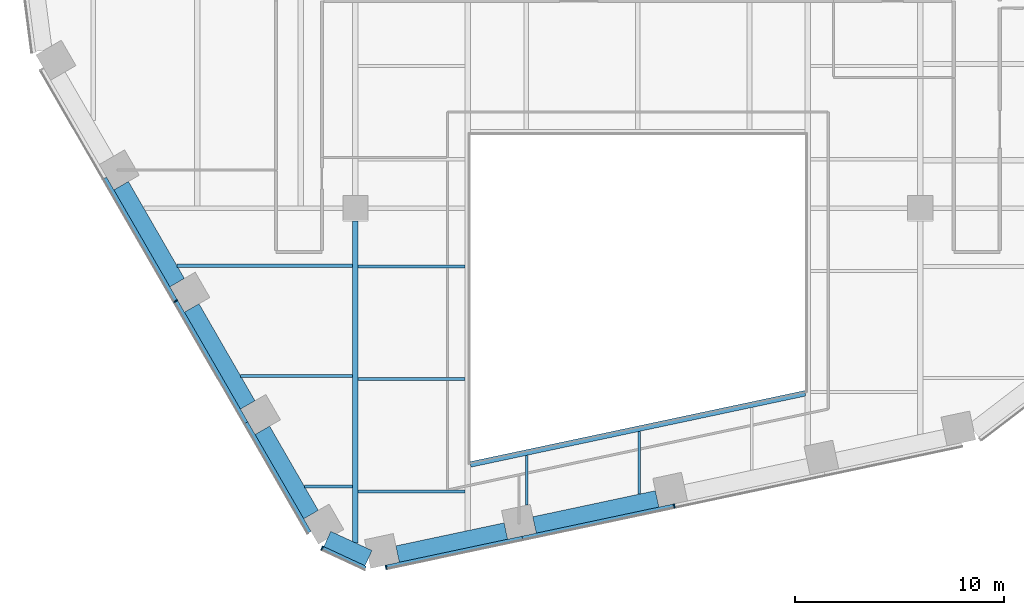
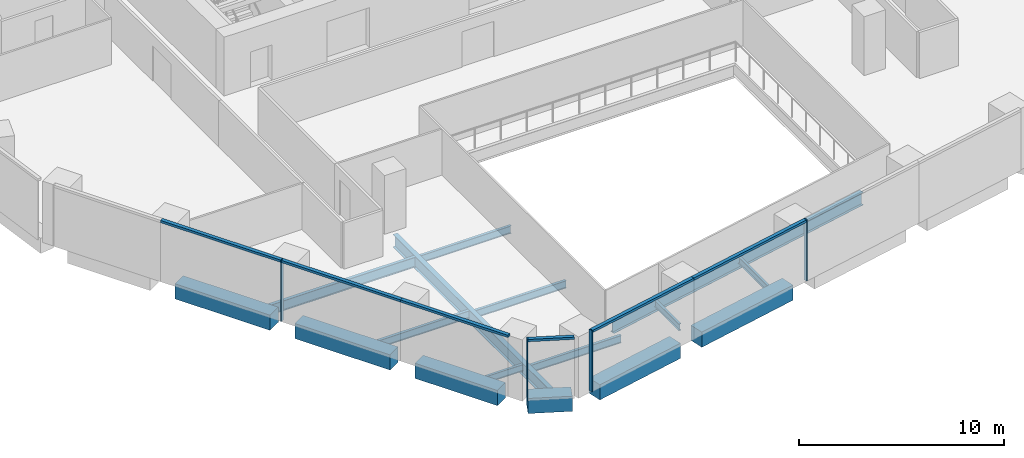
# One storey, part 2 of 16: 16 beams, 10 members, 3 elements without a shape of their own.
"""IFC4 building model written with IfcOpenShell, lengths in metres."""

from ifc_helpers import new_model, si_unit, direction, frame, origin, origin_2d, place, context, subcontext, project, spatial, rectangle, i_section, extrude, material, layer, layer_set, material_profile, profile_set, type_object, element, aggregate, save


model = new_model("IFC4")

# Units and contexts
model_context = context("Model", 3, precision=1e-05, world=origin(), true_north=direction((0.0, 1.0)))
body_context = subcontext(model_context, "Body", "Model", "MODEL_VIEW")
ifc_project = project(units=[si_unit("LENGTHUNIT", "METRE"), si_unit("AREAUNIT", "SQUARE_METRE"), si_unit("VOLUMEUNIT", "CUBIC_METRE"), si_unit("PLANEANGLEUNIT", "RADIAN"), si_unit("MASSUNIT", "GRAM", prefix="KILO")], contexts=[model_context])

# Site, building, storey
site_placement = place(None, origin())
site = spatial("IfcSite", under=ifc_project, at=site_placement, CompositionType="ELEMENT")
building_placement = place(site_placement, origin())
building = spatial("IfcBuilding", under=site, at=building_placement, Name="Isthmus Gate Tower", CompositionType="ELEMENT")
storey_placement = place(building_placement, frame((0.0, 0.0, 148.050048828125)))
storey = spatial("IfcBuildingStorey", under=building, at=storey_placement, Name="L36", CompositionType="ELEMENT", Elevation=148.050048828125)

# Curtain wall, member
ifc_material_1 = material(Name="Aluminium, pale champagne anodised", Category="aluminium")
ifc_layer = layer(ifc_material_1, 0.199951171875)
ifc_layer_set = layer_set([ifc_layer], Name="CW-1 UNITISED CURTAIN WALL 200 DEEP")
curtain_wall_type = type_object("IfcCurtainWallType", Name="CW-1 UNITISED CURTAIN WALL 200 DEEP", PredefinedType="NOTDEFINED", material=ifc_layer_set)
curtain_wall_1_placement = place(storey_placement, origin())
curtain_wall_1 = element("IfcCurtainWall", 1, at=curtain_wall_1_placement, inside=storey, type_object=curtain_wall_type, Name="CW-1 SW L36", PredefinedType="NOTDEFINED")
ifc_material_2 = material(Name="Aluminium, pale champagne anodised", Category="aluminium")
ifc_material_profile_1 = material_profile(ifc_material_2, rectangle(XDim=0.06005859375, YDim=0.199951171875, at=origin_2d()), Name="60x200")
ifc_profile_set_1 = profile_set([ifc_material_profile_1], Name="Aluminium, pale champagne anodised")
member_type_1 = type_object("IfcMemberType", Name="CW-1 MULLION 60 X 200", PredefinedType="MULLION", material=ifc_profile_set_1)
member_1_placement = place(storey_placement, frame((-22.08935546875, -17.93994140625, 0.0), z_axis=(0.0, 0.0, 1.0), x_axis=(0.5, -0.866025403784, 0.0)))
member_1 = element("IfcMember", 2, at=member_1_placement, type_object=member_type_1, Name="CW-1 mullion", PredefinedType="MULLION", context=body_context, shape_type="SweptSolid", body=[
    extrude(rectangle(XDim=0.06005859375, YDim=0.199951171875, at=origin_2d()), origin(), (0.0, 0.0, 1.0), 3.64990234375),
])

curtain_wall_2_placement = place(storey_placement, origin())
curtain_wall_2 = element("IfcCurtainWall", 3, at=curtain_wall_2_placement, inside=storey, type_object=curtain_wall_type, Name="CW-1 SW-S L36", PredefinedType="NOTDEFINED")
member_2_placement = place(storey_placement, frame((-15.091064453125, -29.74755859375, 0.0), z_axis=(0.0, 0.0, 1.0), x_axis=(0.907256261367, -0.420578264073, 0.0)))
member_2 = element("IfcMember", 4, at=member_2_placement, type_object=member_type_1, Name="CW-1 mullion", PredefinedType="MULLION", context=body_context, shape_type="SweptSolid", body=[
    extrude(rectangle(XDim=0.06005859375, YDim=0.199951171875, at=origin_2d()), origin(), (0.0, 0.0, 1.0), 3.64990234375),
])

# Curtain wall, members
curtain_wall_3_placement = place(storey_placement, origin())
curtain_wall_3 = element("IfcCurtainWall", 5, at=curtain_wall_3_placement, inside=storey, type_object=curtain_wall_type, Name="CW-1 S L36", PredefinedType="NOTDEFINED")
member_3_placement = place(storey_placement, frame((-12.03369140625, -30.66015625, 0.0), z_axis=(0.0, 0.0, 1.0), x_axis=(0.978147600734, 0.207911690818, 0.0)))
member_3 = element("IfcMember", 6, at=member_3_placement, type_object=member_type_1, Name="CW-1 mullion", PredefinedType="MULLION", context=body_context, shape_type="SweptSolid", body=[
    extrude(rectangle(XDim=0.06005859375, YDim=0.199951171875, at=origin_2d()), origin(), (0.0, 0.0, 1.0), 3.64990234375),
])
member_4_placement = place(storey_placement, frame((1.740234375, -27.732421875, 0.0), z_axis=(0.0, 0.0, 1.0), x_axis=(0.978147600734, 0.207911690818, 0.0)))
member_4 = element("IfcMember", 7, at=member_4_placement, type_object=member_type_1, Name="CW-1 mullion", PredefinedType="MULLION", context=body_context, shape_type="SweptSolid", body=[
    extrude(rectangle(XDim=0.06005859375, YDim=0.199951171875, at=origin_2d()), origin(), (0.0, 0.0, 1.0), 3.64990234375),
])

# Member
ifc_material_3 = material(Name="Aluminium, pale champagne anodised", Category="aluminium")
ifc_material_profile_2 = material_profile(ifc_material_3, rectangle(XDim=0.199951171875, YDim=0.139892578125, at=origin_2d()), Name="200x140")
ifc_profile_set_2 = profile_set([ifc_material_profile_2], Name="Aluminium, pale champagne anodised")
member_type_2 = type_object("IfcMemberType", Name="CW-1 TRANSOM 200 X 140", PredefinedType="USERDEFINED", material=ifc_profile_set_2)
member_5_placement = place(storey_placement, frame((-25.4794921875, -12.068115234375, 3.579833984375), z_axis=(0.49998230858, -0.86603561769, 0.0), x_axis=(0.86603561769, 0.49998230858, 0.0)))
member_5 = element("IfcMember", 8, at=member_5_placement, type_object=member_type_2, Name="CW-1 transom", ObjectType="TRANSOM", PredefinedType="USERDEFINED", context=body_context, shape_type="SweptSolid", body=[
    extrude(rectangle(XDim=0.199951171875, YDim=0.139892578125, at=origin_2d()), origin(), (0.0, 0.0, 1.0), 6.750244140625),
])

member_6_placement = place(storey_placement, frame((-22.074462890625, -17.9658203125, 3.579833984375), z_axis=(0.499981482168, -0.866036094796, 0.0), x_axis=(0.866036094796, 0.499981482168, 0.0)))
member_6 = element("IfcMember", 9, at=member_6_placement, type_object=member_type_2, Name="CW-1 transom", ObjectType="TRANSOM", PredefinedType="USERDEFINED", context=body_context, shape_type="SweptSolid", body=[
    extrude(rectangle(XDim=0.199951171875, YDim=0.139892578125, at=origin_2d()), origin(), (0.0, 0.0, 1.0), 6.690185546875),
])

member_7_placement = place(storey_placement, frame((-18.7294921875, -23.759765625, 3.579833984375), z_axis=(0.50001470477, -0.866016913815, 0.0), x_axis=(0.866016913815, 0.50001470477, 0.0)))
member_7 = element("IfcMember", 10, at=member_7_placement, type_object=member_type_2, Name="CW-1 transom", ObjectType="TRANSOM", PredefinedType="USERDEFINED", context=body_context, shape_type="SweptSolid", body=[
    extrude(rectangle(XDim=0.199951171875, YDim=0.139892578125, at=origin_2d()), origin(), (0.0, 0.0, 1.0), 6.050048828125),
])

aggregate(curtain_wall_1, [member_5, member_1, member_6, member_7])

member_8_placement = place(storey_placement, frame((-15.06396484375, -29.76025390625, 3.579833984375), z_axis=(0.907246225564, -0.420599912268, 0.0), x_axis=(0.420599912268, 0.907246225564, 0.0)))
member_8 = element("IfcMember", 11, at=member_8_placement, type_object=member_type_2, Name="CW-1 transom", ObjectType="TRANSOM", PredefinedType="USERDEFINED", context=body_context, shape_type="SweptSolid", body=[
    extrude(rectangle(XDim=0.199951171875, YDim=0.139892578125, at=origin_2d()), origin(), (0.0, 0.0, 1.0), 2.258544921875),
])

aggregate(curtain_wall_2, [member_2, member_8])

member_9_placement = place(storey_placement, frame((-12.00439453125, -30.65380859375, 3.579833984375), z_axis=(0.97814593552, 0.207919524877, 0.0), x_axis=(-0.207919524877, 0.97814593552, 0.0)))
member_9 = element("IfcMember", 12, at=member_9_placement, type_object=member_type_2, Name="CW-1 transom", ObjectType="TRANSOM", PredefinedType="USERDEFINED", context=body_context, shape_type="SweptSolid", body=[
    extrude(rectangle(XDim=0.199951171875, YDim=0.139892578125, at=origin_2d()), origin(), (0.0, 0.0, 1.0), 6.630859375),
])

member_10_placement = place(storey_placement, frame((-5.5185546875, -29.275146484375, 3.579833984375), z_axis=(0.978147683684, 0.207911300568, 0.0), x_axis=(-0.207911300568, 0.978147683684, 0.0)))
member_10 = element("IfcMember", 13, at=member_10_placement, type_object=member_type_2, Name="CW-1 transom", ObjectType="TRANSOM", PredefinedType="USERDEFINED", context=body_context, shape_type="SweptSolid", body=[
    extrude(rectangle(XDim=0.199951171875, YDim=0.139892578125, at=origin_2d()), origin(), (0.0, 0.0, 1.0), 7.390869140625),
])

aggregate(curtain_wall_3, [member_3, member_9, member_10, member_4])

# Beams
ifc_material_4 = material(Name="Concrete f'c 60 MPa", Category="concrete")
ifc_material_profile_3 = material_profile(ifc_material_4, rectangle(XDim=0.800048828125, YDim=0.89990234375, at=origin_2d()), Name="RC 800X900")
ifc_profile_set_3 = profile_set([ifc_material_profile_3], Name="Concrete f'c 60 MPa")
beam_type_1 = type_object("IfcBeamType", Name="RC SPANDREL 800 X 900", PredefinedType="SPANDREL", material=ifc_profile_set_3)
beam_1_placement = place(storey_placement, frame((0.922119140625, -27.39501953125, -0.449951171875), z_axis=(-0.978145798872, -0.20792016773, 0.0), x_axis=(0.20792016773, -0.978145798872, 0.0)))
element("IfcBeam", 14, at=beam_1_placement, inside=storey, type_object=beam_type_1, Name="str-spandrel-L36-13", PredefinedType="SPANDREL", context=body_context, shape_type="SweptSolid", body=[
    extrude(rectangle(XDim=0.800048828125, YDim=0.89990234375, at=origin_2d()), origin(), (0.0, 0.0, 1.0), 5.99072265625),
])
beam_2_placement = place(storey_placement, frame((-6.30712890625, -28.931640625, -0.449951171875), z_axis=(-0.978145479826, -0.207921668653, 0.0), x_axis=(0.207921668653, -0.978145479826, 0.0)))
element("IfcBeam", 15, at=beam_2_placement, inside=storey, type_object=beam_type_1, Name="str-spandrel-L36-14", PredefinedType="SPANDREL", context=body_context, shape_type="SweptSolid", body=[
    extrude(rectangle(XDim=0.800048828125, YDim=0.89990234375, at=origin_2d()), origin(), (0.0, 0.0, 1.0), 5.291015625),
])
beam_3_placement = place(storey_placement, frame((-12.87255859375, -30.224853515625, -0.449951171875), z_axis=(-0.907290744498, 0.420503870314, 0.0), x_axis=(-0.420503870314, -0.907290744498, 0.0)))
element("IfcBeam", 16, at=beam_3_placement, inside=storey, type_object=beam_type_1, Name="str-spandrel-L36-15", PredefinedType="SPANDREL", context=body_context, shape_type="SweptSolid", body=[
    extrude(rectangle(XDim=0.800048828125, YDim=0.89990234375, at=origin_2d()), origin(), (0.0, 0.0, 1.0), 2.173095703125),
])
beam_4_placement = place(storey_placement, frame((-15.621337890625, -28.14306640625, -0.449951171875), z_axis=(-0.499984536904, 0.866034331223, 0.0), x_axis=(-0.866034331223, -0.499984536904, 0.0)))
element("IfcBeam", 17, at=beam_4_placement, inside=storey, type_object=beam_type_1, Name="str-spandrel-L36-16", PredefinedType="SPANDREL", context=body_context, shape_type="SweptSolid", body=[
    extrude(rectangle(XDim=0.800048828125, YDim=0.89990234375, at=origin_2d()), origin(), (0.0, 0.0, 1.0), 4.650146484375),
])
for number, where, z_axis, x_axis, name in (
    (18, (-18.646484375, -22.903564453125, -0.449951171875), (-0.500001594578, 0.866024483152, 0.0), (-0.866024483152, -0.500001594578, 0.0), "str-spandrel-L36-17"),
    (19, (-22.021484375, -17.0576171875, -0.449951171875), (-0.500001594578, 0.866024483152, 0.0), (-0.866024483152, -0.500001594578, 0.0), "str-spandrel-L36-18"),
):
    element("IfcBeam", number, at=place(storey_placement, frame(where, z_axis=z_axis, x_axis=x_axis)), inside=storey, type_object=beam_type_1, Name=name, PredefinedType="SPANDREL", context=body_context, shape_type="SweptSolid", body=[
        extrude(rectangle(XDim=0.800048828125, YDim=0.89990234375, at=origin_2d()), origin(), (0.0, 0.0, 1.0), 5.35009765625),
    ])
ifc_material_5 = material(Name="Structural steel ASTM A992 Gr 50", Category="steel")
ifc_material_profile_4 = material_profile(ifc_material_5, i_section(OverallWidth=0.1396484375, OverallDepth=0.4033203125, WebThickness=0.00634765625, FlangeThickness=0.010986328125, at=origin_2d()), Name="W16X31")
ifc_profile_set_4 = profile_set([ifc_material_profile_4], Name="Structural steel ASTM A992 Gr 50")
beam_type_2 = type_object("IfcBeamType", Name="STEEL FLOOR BEAM W16X31", PredefinedType="JOIST", material=ifc_profile_set_4)
beam_5_placement = place(storey_placement, frame((-15.937744140625, -26.795166015625, -0.3515625), z_axis=(1.0, 0.0, 0.0), x_axis=(0.0, 1.0, 0.0)))
element("IfcBeam", 20, at=beam_5_placement, inside=storey, type_object=beam_type_2, Name="str-beam-L36-02-00", PredefinedType="JOIST", context=body_context, shape_type="SweptSolid", body=[
    extrude(i_section(OverallWidth=0.1396484375, OverallDepth=0.4033203125, WebThickness=0.00634765625, FlangeThickness=0.010986328125, at=origin_2d()), origin(), (0.0, 0.0, 1.0), 2.304443359375),
])
beam_6_placement = place(storey_placement, frame((-5.311279296875, -27.69775390625, -0.3515625), z_axis=(0.0, 1.0, 0.0), x_axis=(-1.0, 0.0, 0.0)))
element("IfcBeam", 21, at=beam_6_placement, inside=storey, type_object=beam_type_2, Name="str-beam-L36-07-00", PredefinedType="JOIST", context=body_context, shape_type="SweptSolid", body=[
    extrude(i_section(OverallWidth=0.1396484375, OverallDepth=0.4033203125, WebThickness=0.00634765625, FlangeThickness=0.010986328125, at=origin_2d()), origin(), (0.0, 0.0, 1.0), 2.385498046875),
])
beam_7_placement = place(storey_placement, frame((0.06591796875, -27.168212890625, -0.3515625), z_axis=(0.0, 1.0, 0.0), x_axis=(-1.0, 0.0, 0.0)))
element("IfcBeam", 22, at=beam_7_placement, inside=storey, type_object=beam_type_2, Name="str-beam-L36-07-01", PredefinedType="JOIST", context=body_context, shape_type="SweptSolid", body=[
    extrude(i_section(OverallWidth=0.1396484375, OverallDepth=0.4033203125, WebThickness=0.00634765625, FlangeThickness=0.010986328125, at=origin_2d()), origin(), (0.0, 0.0, 1.0), 2.9990234375),
])
ifc_material_6 = material(Name="Structural steel ASTM A992 Gr 50", Category="steel")
ifc_material_profile_5 = material_profile(ifc_material_6, i_section(OverallWidth=0.15234375, OverallDepth=0.45068359375, WebThickness=0.0078125, FlangeThickness=0.010986328125, at=origin_2d()), Name="W18X35")
ifc_profile_set_5 = profile_set([ifc_material_profile_5], Name="Structural steel ASTM A992 Gr 50")
beam_type_3 = type_object("IfcBeamType", Name="STEEL FLOOR BEAM W18X35", PredefinedType="JOIST", material=ifc_profile_set_5)
beam_8_placement = place(storey_placement, frame((-18.981689453125, -21.52294921875, -0.37548828125), z_axis=(1.0, 0.0, 0.0), x_axis=(0.0, 1.0, 0.0)))
element("IfcBeam", 23, at=beam_8_placement, inside=storey, type_object=beam_type_3, Name="str-beam-L36-02-01", PredefinedType="JOIST", context=body_context, shape_type="SweptSolid", body=[
    extrude(i_section(OverallWidth=0.15234375, OverallDepth=0.45068359375, WebThickness=0.0078125, FlangeThickness=0.010986328125, at=origin_2d()), origin(), (0.0, 0.0, 1.0), 5.348388671875),
])
for number, where, z_axis, x_axis, name in (
    (24, (-13.36669921875, -27.04736328125, -0.37548828125), (1.0, 0.0, 0.0), (0.0, 1.0, 0.0), "str-beam-L36-03-00"),
    (25, (-13.36669921875, -21.67041015625, -0.37548828125), (1.0, 0.0, 0.0), (0.0, 1.0, 0.0), "str-beam-L36-03-01"),
    (26, (-13.36669921875, -16.293212890625, -0.37548828125), (1.0, 0.0, 0.0), (0.0, 1.0, 0.0), "str-beam-L36-03-02"),
):
    element("IfcBeam", number, at=place(storey_placement, frame(where, z_axis=z_axis, x_axis=x_axis)), inside=storey, type_object=beam_type_3, Name=name, PredefinedType="JOIST", context=body_context, shape_type="SweptSolid", body=[
        extrude(i_section(OverallWidth=0.15234375, OverallDepth=0.45068359375, WebThickness=0.0078125, FlangeThickness=0.010986328125, at=origin_2d()), origin(), (0.0, 0.0, 1.0), 5.10009765625),
    ])
ifc_material_7 = material(Name="Structural steel ASTM A992 Gr 50", Category="steel")
ifc_material_profile_6 = material_profile(ifc_material_7, i_section(OverallWidth=0.177734375, OverallDepth=0.60009765625, WebThickness=0.009521484375, FlangeThickness=0.0126953125, at=origin_2d()), Name="W24X55")
ifc_profile_set_6 = profile_set([ifc_material_profile_6], Name="Structural steel ASTM A992 Gr 50")
beam_type_4 = type_object("IfcBeamType", Name="STEEL FLOOR BEAM W24X55", PredefinedType="JOIST", material=ifc_profile_set_6)
beam_9_placement = place(storey_placement, frame((-22.025634765625, -16.25048828125, -0.4501953125), z_axis=(1.0, 0.0, 0.0), x_axis=(0.0, 1.0, 0.0)))
element("IfcBeam", 27, at=beam_9_placement, inside=storey, type_object=beam_type_4, Name="str-beam-L36-02-02", PredefinedType="JOIST", context=body_context, shape_type="SweptSolid", body=[
    extrude(i_section(OverallWidth=0.177734375, OverallDepth=0.60009765625, WebThickness=0.009521484375, FlangeThickness=0.0126953125, at=origin_2d()), origin(), (0.0, 0.0, 1.0), 8.392333984375),
])
ifc_material_8 = material(Name="Structural steel ASTM A992 Gr 50", Category="steel")
ifc_material_profile_7 = material_profile(ifc_material_8, i_section(OverallWidth=0.2666015625, OverallDepth=0.7587890625, WebThickness=0.014404296875, FlangeThickness=0.01904296875, at=origin_2d()), Name="W30X108")
ifc_profile_set_7 = profile_set([ifc_material_profile_7], Name="Structural steel ASTM A992 Gr 50")
beam_type_5 = type_object("IfcBeamType", Name="STEEL GIRDER W30X108", PredefinedType="BEAM", material=ifc_profile_set_7)
beam_10_placement = place(storey_placement, frame((-13.5, -29.4931640625, -0.529541015625), z_axis=(0.0, 1.0, 0.0), x_axis=(-1.0, 0.0, 0.0)))
element("IfcBeam", 28, at=beam_10_placement, inside=storey, type_object=beam_type_5, Name="str-girder-L36-07", PredefinedType="BEAM", context=body_context, shape_type="SweptSolid", body=[
    extrude(i_section(OverallWidth=0.2666015625, OverallDepth=0.7587890625, WebThickness=0.014404296875, FlangeThickness=0.01904296875, at=origin_2d()), origin(), (0.0, 0.0, 1.0), 15.39306640625),
])
ifc_material_9 = material(Name="Structural steel ASTM A992 Gr 50", Category="steel")
ifc_material_profile_8 = material_profile(ifc_material_9, i_section(OverallWidth=0.2666015625, OverallDepth=0.7587890625, WebThickness=0.014404296875, FlangeThickness=0.01904296875, at=origin_2d()), Name="W30X108")
ifc_profile_set_8 = profile_set([ifc_material_profile_8], Name="Structural steel ASTM A992 Gr 50")
beam_type_6 = type_object("IfcBeamType", Name="STEEL TRIMMER W30X108", PredefinedType="BEAM", material=ifc_profile_set_8)
beam_11_placement = place(storey_placement, frame((-8.0, -25.747314453125, -0.529541015625), z_axis=(0.978147924985, 0.20791016533, 0.0), x_axis=(-0.20791016533, 0.978147924985, 0.0)))
element("IfcBeam", 29, at=beam_11_placement, inside=storey, type_object=beam_type_6, Name="str-trimmer-L36-03", PredefinedType="BEAM", context=body_context, shape_type="SweptSolid", body=[
    extrude(i_section(OverallWidth=0.2666015625, OverallDepth=0.7587890625, WebThickness=0.014404296875, FlangeThickness=0.01904296875, at=origin_2d()), origin(), (0.0, 0.0, 1.0), 16.357421875),
])

save(model, "model.ifc")
